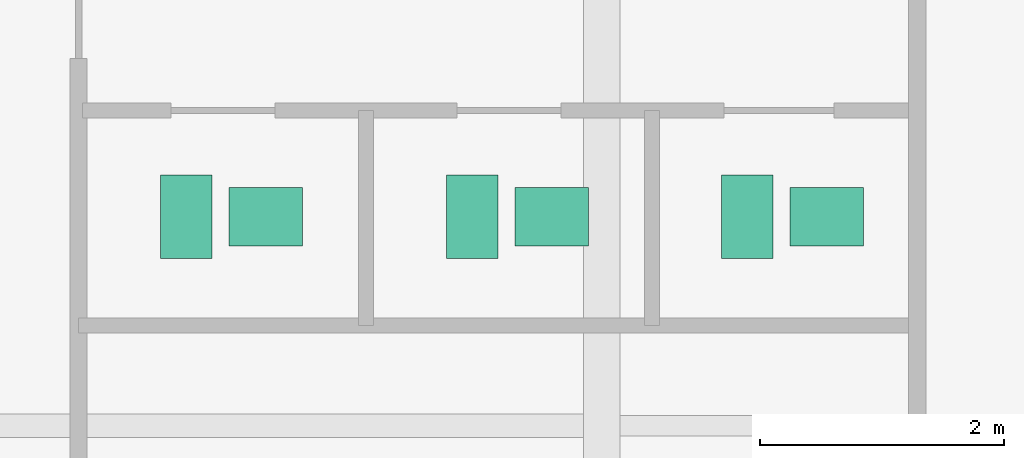
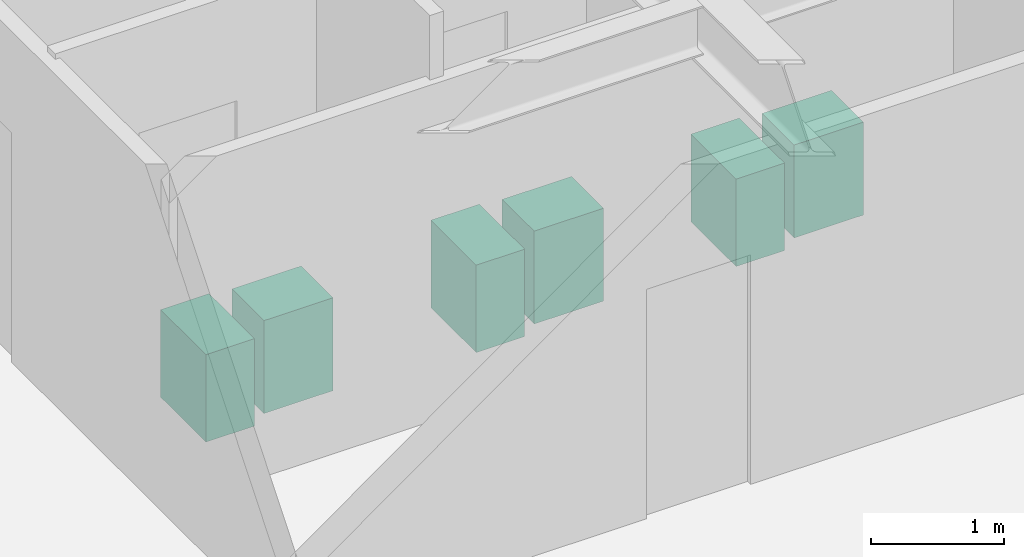
# One storey, part 27 of 27: 6 sanitary terminals.
"""IFC4 building model written with IfcOpenShell, lengths in metres."""

from ifc_helpers import new_model, si_unit, direction, frame, origin, origin_2d, place, context, subcontext, project, spatial, rectangle, extrude, source, transform, mapped, material, type_object, type_shapes, element, save


model = new_model("IFC4")

# Units and contexts
model_context = context("Model", 3, precision=1e-05, world=origin(), true_north=direction((0.0, 1.0)))
body_context = subcontext(model_context, "Body", "Model", "MODEL_VIEW")
ifc_project = project(units=[si_unit("LENGTHUNIT", "METRE"), si_unit("AREAUNIT", "SQUARE_METRE"), si_unit("VOLUMEUNIT", "CUBIC_METRE"), si_unit("PLANEANGLEUNIT", "RADIAN"), si_unit("MASSUNIT", "GRAM", prefix="KILO")], contexts=[model_context])

# Site, building, storey
site_placement = place(None, origin())
site = spatial("IfcSite", under=ifc_project, at=site_placement, CompositionType="ELEMENT")
building_placement = place(site_placement, origin())
building = spatial("IfcBuilding", under=site, at=building_placement, Name="Krantzveldt Concourse Tower", CompositionType="ELEMENT")
storey_placement = place(building_placement, frame((0.0, 0.0, 158.050048828125)))
storey = spatial("IfcBuildingStorey", under=building, at=storey_placement, Name="L38", CompositionType="ELEMENT", Elevation=158.050048828125)

# Sanitary terminals
ifc_material = material(Name="Vitreous china", Category="ceramic")
sanitary_terminal_type_1 = type_object("IfcSanitaryTerminalType", Name="SAN-WC-SUITE", PredefinedType="TOILETPAN", material=ifc_material)
shared_shape_1 = source(origin(), body_context, "Body", "SweptSolid", [
    extrude(rectangle(XDim=0.419921875, YDim=0.679931640625, at=origin_2d()), origin(), (0.0, 0.0, 1.0), 0.800048828125),
])
type_shapes(sanitary_terminal_type_1, [shared_shape_1])
for number, where, z_axis, x_axis, name in (
    (1, (38.0, 31.909912109375, 0.0), (0.0, 0.0, 1.0), (1.0, 0.0, 0.0), "WC-SP-L38-WCM"),
    (2, (40.340087890625, 31.909912109375, 0.0), (0.0, 0.0, 1.0), (1.0, 0.0, 0.0), "WC-SP-L38-WCF"),
    (3, (42.590087890625, 31.909912109375, 0.0), (0.0, 0.0, 1.0), (1.0, 0.0, 0.0), "WC-SP-L38-WCA"),
):
    element("IfcSanitaryTerminal", number, at=place(storey_placement, frame(where, z_axis=z_axis, x_axis=x_axis)), inside=storey, type_object=sanitary_terminal_type_1, Name=name, PredefinedType="TOILETPAN", context=body_context, shape_type="MappedRepresentation", body=[
        mapped(shared_shape_1, transform((0.0, 0.0, 0.0), x_axis=(1.0, 0.0, 0.0), y_axis=(0.0, 1.0, 0.0), z_axis=(0.0, 0.0, 1.0), scale=1.0)),
    ])
sanitary_terminal_type_2 = type_object("IfcSanitaryTerminalType", Name="SAN-BASIN-600", PredefinedType="WASHHANDBASIN", material=ifc_material)
shared_shape_2 = source(origin(), body_context, "Body", "SweptSolid", [
    extrude(rectangle(XDim=0.60009765625, YDim=0.47998046875, at=origin_2d()), origin(), (0.0, 0.0, 1.0), 0.85009765625),
])
type_shapes(sanitary_terminal_type_2, [shared_shape_2])
for number, where, z_axis, x_axis, name in (
    (4, (38.64990234375, 31.909912109375, 0.0048828125), (0.0, 0.0, 1.0), (1.0, 0.0, 0.0), "BSN-SP-L38-WCM"),
    (5, (40.989990234375, 31.909912109375, 0.0048828125), (0.0, 0.0, 1.0), (1.0, 0.0, 0.0), "BSN-SP-L38-WCF"),
    (6, (43.239990234375, 31.909912109375, 0.0048828125), (0.0, 0.0, 1.0), (1.0, 0.0, 0.0), "BSN-SP-L38-WCA"),
):
    element("IfcSanitaryTerminal", number, at=place(storey_placement, frame(where, z_axis=z_axis, x_axis=x_axis)), inside=storey, type_object=sanitary_terminal_type_2, Name=name, PredefinedType="WASHHANDBASIN", context=body_context, shape_type="MappedRepresentation", body=[
        mapped(shared_shape_2, transform((0.0, 0.0, 0.0), x_axis=(1.0, 0.0, 0.0), y_axis=(0.0, 1.0, 0.0), z_axis=(0.0, 0.0, 1.0), scale=1.0)),
    ])

save(model, "model.ifc")
